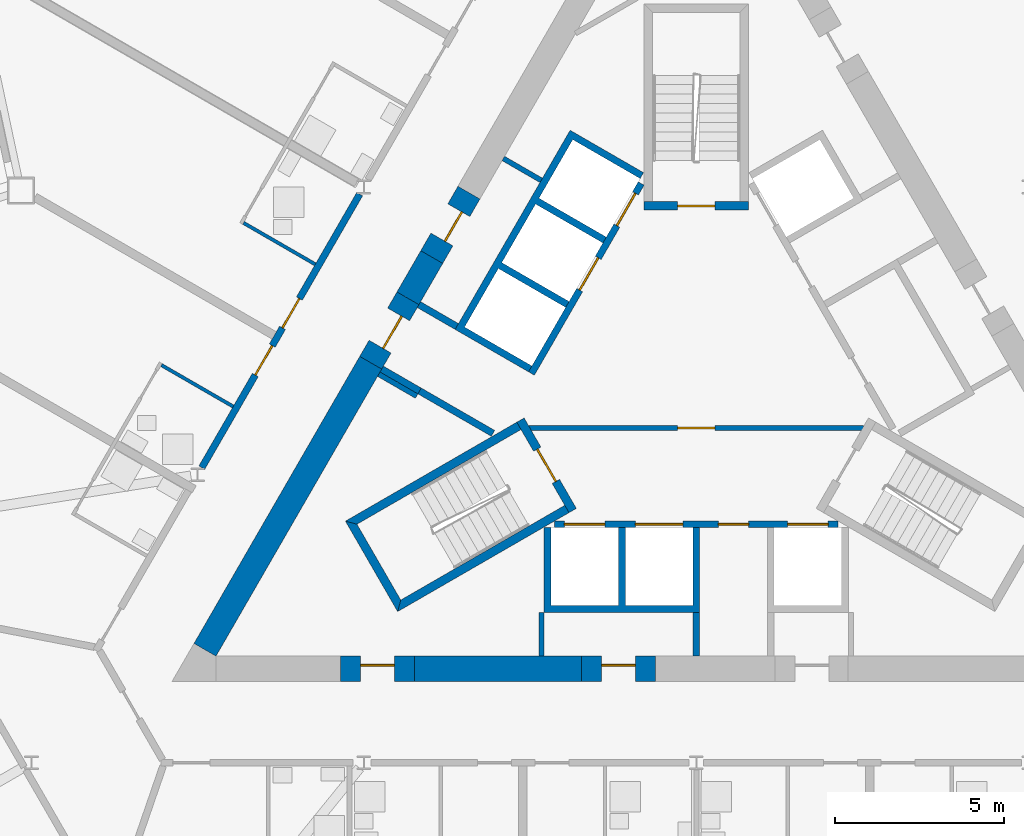
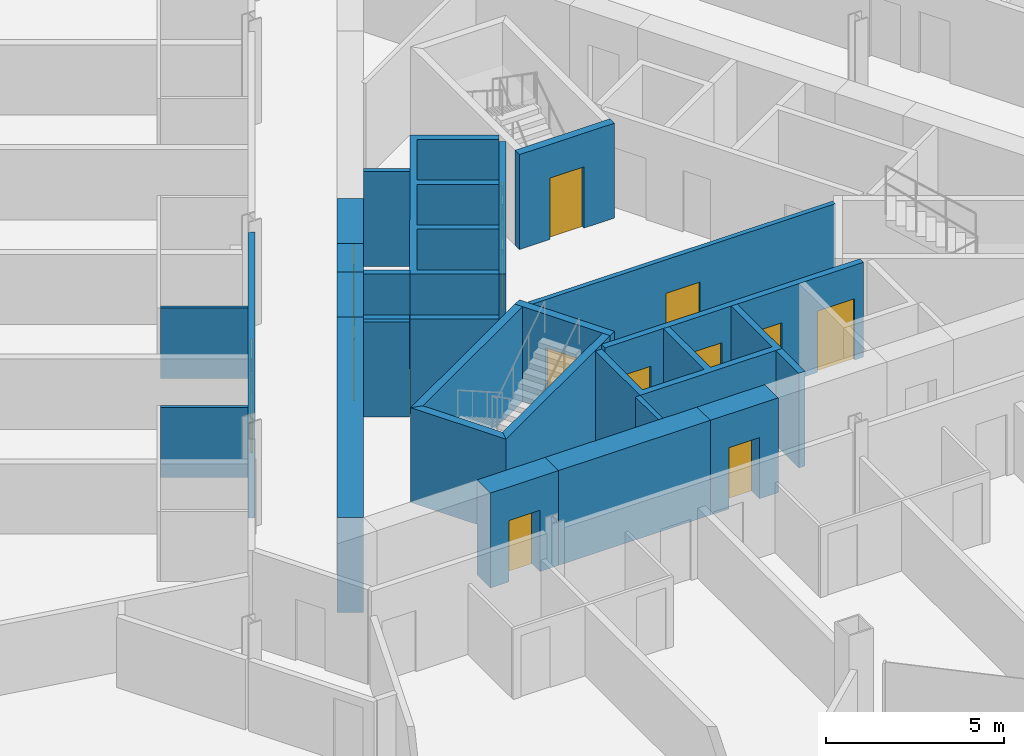
# One storey, part 11 of 23: 27 walls, 15 doors, 15 openings.
"""IFC4 building model written with IfcOpenShell, lengths in metres."""

from ifc_helpers import new_model, si_unit, direction, frame, frame_2d, origin, place, context, subcontext, project, spatial, polyline, rectangle, outline, extrude, material, layer, layer_set, type_object, element, fill, save


model = new_model("IFC4")

# Units and contexts
model_context = context("Model", 3, precision=1e-05, world=origin(), true_north=direction((0.0, 1.0)))
body_context = subcontext(model_context, "Body", "Model", "MODEL_VIEW")
ifc_project = project(units=[si_unit("LENGTHUNIT", "METRE"), si_unit("AREAUNIT", "SQUARE_METRE"), si_unit("VOLUMEUNIT", "CUBIC_METRE"), si_unit("PLANEANGLEUNIT", "RADIAN"), si_unit("MASSUNIT", "GRAM", prefix="KILO")], contexts=[model_context])

# Site, building, storey
site_placement = place(None, origin())
site = spatial("IfcSite", under=ifc_project, at=site_placement, CompositionType="ELEMENT")
building_placement = place(site_placement, origin())
building = spatial("IfcBuilding", under=site, at=building_placement, Name="Cormorant Prow Tower", CompositionType="ELEMENT")
storey_placement = place(building_placement, frame((0.0, 0.0, 183.60009765625)))
storey = spatial("IfcBuildingStorey", under=building, at=storey_placement, Name="L39", CompositionType="ELEMENT", Elevation=183.60009765625)

# Wall, opening, door
ifc_material_1 = material(Name="Gypsum board partition")
ifc_layer_1 = layer(ifc_material_1, 0.14990234375)
ifc_layer_set_1 = layer_set([ifc_layer_1], Name="Gypsum board partition")
wall_type_1 = type_object("IfcWallType", Name="Core partition 150", PredefinedType="PARTITIONING", material=ifc_layer_set_1)
wall_1_placement = place(storey_placement, frame((-4.941162109375, -1.449951171875, 0.0), z_axis=(0.0, 0.0, 1.0), x_axis=(1.0, 0.0, 0.0)))
wall_1 = element("IfcWall", 1, at=wall_1_placement, inside=storey, type_object=wall_type_1, Name="Firefighting lobby partition", PredefinedType="PARTITIONING", context=body_context, shape_type="SweptSolid", body=[
    extrude(rectangle(XDim=9.88232421875, YDim=0.14990234375, at=frame_2d((4.941162109375, 0.0))), origin(), (0.0, 0.0, 1.0), 3.25),
])
opening_1_placement = place(wall_1_placement, frame((4.39111328125, 0.0, 0.0)))
opening_1 = element("IfcOpeningElement", 2, at=opening_1_placement, cuts=wall_1, Name="Opening L39-C10", PredefinedType="OPENING", context=body_context, shape_type="SweptSolid", body=[
    extrude(rectangle(XDim=1.10009765625, YDim=2.10009765625, at=frame_2d((0.550048828125, 1.050048828125))), frame((0.0, 0.0849609375, 0.0), z_axis=(0.0, -1.0, 0.0), x_axis=(1.0, 0.0, 0.0)), (0.0, 0.0, 1.0), 0.169921875),
])
ifc_material_2 = material(Name="Painted steel", Category="steel")
door_type_1 = type_object("IfcDoorType", Name="Firefighting lobby door 1100x2100", OperationType="NOTDEFINED", PredefinedType="DOOR", material=ifc_material_2)
door_1_placement = place(opening_1_placement, origin())
door_1 = element("IfcDoor", 3, at=door_1_placement, inside=storey, type_object=door_type_1, Name="Firefighting lobby door", OperationType="SINGLE_SWING_LEFT", OverallHeight=2.10009765625, OverallWidth=1.10009765625, PredefinedType="DOOR", context=body_context, shape_type="SweptSolid", body=[
    extrude(rectangle(XDim=1.10009765625, YDim=2.10009765625, at=frame_2d((0.550048828125, 1.050048828125))), frame((0.0, 0.02490234375, 0.0), z_axis=(0.0, -1.0, 0.0), x_axis=(1.0, 0.0, 0.0)), (0.0, 0.0, 1.0), 0.050048828125),
])
fill(opening_1, door_1)

# Walls
for number, where, z_axis, x_axis, name in (
    (4, (-4.574951171875, -6.906005859375, 0.0), (0.0, 0.0, 1.0), (0.0, -1.0, 0.0), "Service room partition"),
    (5, (-8.268310546875, -0.509033203125, 0.0), (0.0, 0.0, 1.0), (-0.866003189247, 0.500038474733, 0.0), "Service room partition"),
    (6, (-5.705322265625, 6.515869140625, 0.0), (0.0, 0.0, 1.0), (0.866003189247, -0.500038474733, 0.0), "Service room partition"),
):
    element("IfcWall", number, at=place(storey_placement, frame(where, z_axis=z_axis, x_axis=x_axis)), inside=storey, type_object=wall_type_1, Name=name, PredefinedType="PARTITIONING", context=body_context, shape_type="SweptSolid", body=[
        extrude(rectangle(XDim=1.29296875, YDim=0.14990234375, at=frame_2d((0.646484375, 0.0))), origin(), (0.0, 0.0, 1.0), 3.25),
    ])
ifc_material_3 = material(Name="Concrete 8000 psi", Category="concrete")
ifc_layer_2 = layer(ifc_material_3, 0.75)
ifc_layer_set_2 = layer_set([ifc_layer_2], Name="Concrete 8000 psi")
wall_type_2 = type_object("IfcWallType", Name="Core shear wall 750", PredefinedType="SHEAR", material=ifc_layer_set_2)
wall_2_placement = place(storey_placement, frame((-8.325439453125, -8.573974609375, 0.0), z_axis=(0.0, 0.0, 1.0), x_axis=(1.0, 0.0, 0.0)))
element("IfcWall", 7, at=wall_2_placement, inside=storey, type_object=wall_type_2, Name="Core wall", PredefinedType="SHEAR", context=body_context, shape_type="SweptSolid", body=[
    extrude(rectangle(XDim=4.925537109375, YDim=0.75, at=frame_2d((2.462890625, 0.0))), origin(), (0.0, 0.0, 1.0), 3.25),
])
wall_3_placement = place(storey_placement, frame((-9.625244140625, 0.4765625, 0.0), z_axis=(0.0, 0.0, 1.0), x_axis=(-0.499986234705, -0.866033351035, 0.0)))
element("IfcWall", 8, at=wall_3_placement, inside=storey, type_object=wall_type_2, Name="Core wall", PredefinedType="SHEAR", context=body_context, shape_type="SweptSolid", body=[
    extrude(rectangle(XDim=9.801025390625, YDim=0.75, at=frame_2d((4.900390625, 0.0))), origin(), (0.0, 0.0, 1.0), 3.25),
])
wall_4_placement = place(storey_placement, frame((-7.8212890625, 3.600830078125, 0.0), z_axis=(0.0, 0.0, 1.0), x_axis=(-0.49996263964, -0.866046972724, 0.0)))
element("IfcWall", 9, at=wall_4_placement, inside=storey, type_object=wall_type_2, Name="Core wall", PredefinedType="SHEAR", context=body_context, shape_type="SweptSolid", body=[
    extrude(rectangle(XDim=1.40771484375, YDim=0.75, at=frame_2d((0.703857421875, 0.0))), origin(), (0.0, 0.0, 1.0), 3.25),
])

# Wall, opening, door
wall_5_placement = place(storey_placement, frame((-3.39990234375, -8.573974609375, 0.0), z_axis=(0.0, 0.0, 1.0), x_axis=(1.0, 0.0, 0.0)))
wall_5 = element("IfcWall", 10, at=wall_5_placement, inside=storey, type_object=wall_type_2, Name="Core wall door panel", PredefinedType="SHEAR", context=body_context, shape_type="SweptSolid", body=[
    extrude(rectangle(XDim=2.199951171875, YDim=0.75, at=frame_2d((1.10009765625, 0.0))), origin(), (0.0, 0.0, 1.0), 3.25),
])
opening_2_placement = place(wall_5_placement, frame((0.60009765625, 0.0, 0.0)))
opening_2 = element("IfcOpeningElement", 11, at=opening_2_placement, cuts=wall_5, Name="Opening L39-C14", PredefinedType="OPENING", context=body_context, shape_type="SweptSolid", body=[
    extrude(rectangle(XDim=1.0, YDim=2.10009765625, at=frame_2d((0.5, 1.050048828125))), frame((0.0, 0.385009765625, 0.0), z_axis=(0.0, -1.0, 0.0), x_axis=(1.0, 0.0, 0.0)), (0.0, 0.0, 1.0), 0.77001953125),
])
ifc_material_4 = material(Name="Painted steel", Category="steel")
door_type_2 = type_object("IfcDoorType", Name="Service door 1000x2100", OperationType="NOTDEFINED", PredefinedType="DOOR", material=ifc_material_4)
door_2_placement = place(opening_2_placement, origin())
door_2 = element("IfcDoor", 12, at=door_2_placement, inside=storey, type_object=door_type_2, Name="Core door, Housekeeping store", OperationType="SINGLE_SWING_RIGHT", OverallHeight=2.10009765625, OverallWidth=1.0, PredefinedType="DOOR", context=body_context, shape_type="SweptSolid", body=[
    extrude(rectangle(XDim=1.0, YDim=2.10009765625, at=frame_2d((0.5, 1.050048828125))), frame((0.0, 0.1298828125, 0.0), z_axis=(0.0, -1.0, 0.0), x_axis=(1.0, 0.0, 0.0)), (0.0, 0.0, 1.0), 0.050048828125),
])
fill(opening_2, door_2)

wall_6_placement = place(storey_placement, frame((-10.525390625, -8.573974609375, 0.0), z_axis=(0.0, 0.0, 1.0), x_axis=(1.0, 0.0, 0.0)))
wall_6 = element("IfcWall", 13, at=wall_6_placement, inside=storey, type_object=wall_type_2, Name="Core wall door panel", PredefinedType="SHEAR", context=body_context, shape_type="SweptSolid", body=[
    extrude(rectangle(XDim=2.199951171875, YDim=0.75, at=frame_2d((1.10009765625, 0.0))), origin(), (0.0, 0.0, 1.0), 3.25),
])
opening_3_placement = place(wall_6_placement, frame((0.60009765625, 0.0, 0.0)))
opening_3 = element("IfcOpeningElement", 14, at=opening_3_placement, cuts=wall_6, Name="Opening L39-C16", PredefinedType="OPENING", context=body_context, shape_type="SweptSolid", body=[
    extrude(rectangle(XDim=1.0, YDim=2.10009765625, at=frame_2d((0.5, 1.050048828125))), frame((0.0, 0.385009765625, 0.0), z_axis=(0.0, -1.0, 0.0), x_axis=(1.0, 0.0, 0.0)), (0.0, 0.0, 1.0), 0.77001953125),
])
door_3_placement = place(opening_3_placement, origin())
door_3 = element("IfcDoor", 15, at=door_3_placement, inside=storey, type_object=door_type_2, Name="Core door, Linen store", OperationType="SINGLE_SWING_RIGHT", OverallHeight=2.10009765625, OverallWidth=1.0, PredefinedType="DOOR", context=body_context, shape_type="SweptSolid", body=[
    extrude(rectangle(XDim=1.0, YDim=2.10009765625, at=frame_2d((0.5, 1.050048828125))), frame((0.0, 0.1298828125, 0.0), z_axis=(0.0, -1.0, 0.0), x_axis=(1.0, 0.0, 0.0)), (0.0, 0.0, 1.0), 0.050048828125),
])
fill(opening_3, door_3)

wall_7_placement = place(storey_placement, frame((-6.721435546875, 5.506103515625, 0.0), z_axis=(0.0, 0.0, 1.0), x_axis=(-0.499946605688, -0.86605622881, 0.0)))
wall_7 = element("IfcWall", 16, at=wall_7_placement, inside=storey, type_object=wall_type_2, Name="Core wall door panel", PredefinedType="SHEAR", context=body_context, shape_type="SweptSolid", body=[
    extrude(rectangle(XDim=2.199951171875, YDim=0.75, at=frame_2d((1.10009765625, 0.0))), origin(), (0.0, 0.0, 1.0), 3.25),
])
opening_4_placement = place(wall_7_placement, frame((0.60009765625, 0.0, 0.0)))
opening_4 = element("IfcOpeningElement", 17, at=opening_4_placement, cuts=wall_7, Name="Opening L39-C19", PredefinedType="OPENING", context=body_context, shape_type="SweptSolid", body=[
    extrude(rectangle(XDim=1.0, YDim=2.10009765625, at=frame_2d((0.5, 1.050048828125))), frame((0.0, 0.385009765625, 0.0), z_axis=(0.0, -1.0, 0.0), x_axis=(1.0, 0.0, 0.0)), (0.0, 0.0, 1.0), 0.77001953125),
])
door_4_placement = place(opening_4_placement, origin())
door_4 = element("IfcDoor", 18, at=door_4_placement, inside=storey, type_object=door_type_2, Name="Core door, Electrical room", OperationType="SINGLE_SWING_LEFT", OverallHeight=2.10009765625, OverallWidth=1.0, PredefinedType="DOOR", context=body_context, shape_type="SweptSolid", body=[
    extrude(rectangle(XDim=1.0, YDim=2.10009765625, at=frame_2d((0.5, 1.050048828125))), frame((0.0, 0.1298828125, 0.0), z_axis=(0.0, -1.0, 0.0), x_axis=(1.0, 0.0, 0.0)), (0.0, 0.0, 1.0), 0.050048828125),
])
fill(opening_4, door_4)

wall_8_placement = place(storey_placement, frame((-8.525146484375, 2.381591796875, 0.0), z_axis=(0.0, 0.0, 1.0), x_axis=(-0.500077893725, -0.86598042715, 0.0)))
wall_8 = element("IfcWall", 19, at=wall_8_placement, inside=storey, type_object=wall_type_2, Name="Core wall door panel", PredefinedType="SHEAR", context=body_context, shape_type="SweptSolid", body=[
    extrude(rectangle(XDim=2.199951171875, YDim=0.75, at=frame_2d((1.10009765625, 0.0))), origin(), (0.0, 0.0, 1.0), 3.25),
])
opening_5_placement = place(wall_8_placement, frame((0.550048828125, 0.0, 0.0)))
opening_5 = element("IfcOpeningElement", 20, at=opening_5_placement, cuts=wall_8, Name="Opening L39-C22", PredefinedType="OPENING", context=body_context, shape_type="SweptSolid", body=[
    extrude(rectangle(XDim=1.10009765625, YDim=2.10009765625, at=frame_2d((0.550048828125, 1.050048828125))), frame((0.0, 0.385009765625, 0.0), z_axis=(0.0, -1.0, 0.0), x_axis=(1.0, 0.0, 0.0)), (0.0, 0.0, 1.0), 0.77001953125),
])
ifc_material_5 = material(Name="Painted steel", Category="steel")
door_type_3 = type_object("IfcDoorType", Name="Core door 1100x2100", OperationType="NOTDEFINED", PredefinedType="DOOR", material=ifc_material_5)
door_5_placement = place(opening_5_placement, origin())
door_5 = element("IfcDoor", 21, at=door_5_placement, inside=storey, type_object=door_type_3, Name="Core door, lift lobby", OperationType="SINGLE_SWING_RIGHT", OverallHeight=2.10009765625, OverallWidth=1.10009765625, PredefinedType="DOOR", context=body_context, shape_type="SweptSolid", body=[
    extrude(rectangle(XDim=1.10009765625, YDim=2.10009765625, at=frame_2d((0.550048828125, 1.050048828125))), frame((0.0, 0.1298828125, 0.0), z_axis=(0.0, -1.0, 0.0), x_axis=(1.0, 0.0, 0.0)), (0.0, 0.0, 1.0), 0.050048828125),
])
fill(opening_5, door_5)

# Wall, openings, doors
ifc_material_6 = material(Name="Gypsum board corridor wall")
ifc_layer_3 = layer(ifc_material_6, 0.199951171875)
ifc_layer_set_3 = layer_set([ifc_layer_3], Name="Gypsum board corridor wall")
wall_type_3 = type_object("IfcWallType", Name="Corridor wall 200", PredefinedType="PARTITIONING", material=ifc_layer_set_3)
wall_9_placement = place(storey_placement, frame((-14.619384765625, -2.62353515625, 0.0), z_axis=(0.0, 0.0, 1.0), x_axis=(0.50000393355, 0.866023132736, 0.0)))
wall_9 = element("IfcWall", 22, at=wall_9_placement, inside=storey, type_object=wall_type_3, Name="Corridor wall", PredefinedType="PARTITIONING", context=body_context, shape_type="SweptSolid", body=[
    extrude(rectangle(XDim=9.3349609375, YDim=0.199951171875, at=frame_2d((4.66748046875, 0.0))), origin(), (0.0, 0.0, 1.0), 3.25),
])
opening_6_placement = place(wall_9_placement, frame((4.770263671875, 0.0, 0.0)))
opening_6 = element("IfcOpeningElement", 23, at=opening_6_placement, cuts=wall_9, Name="Opening L39-F30", PredefinedType="OPENING", context=body_context, shape_type="SweptSolid", body=[
    extrude(rectangle(XDim=1.0, YDim=2.10009765625, at=frame_2d((0.5, 1.050048828125))), frame((0.0, 0.10986328125, 0.0), z_axis=(0.0, -1.0, 0.0), x_axis=(1.0, 0.0, 0.0)), (0.0, 0.0, 1.0), 0.219970703125),
])
opening_7_placement = place(wall_9_placement, frame((3.1630859375, 0.0, 0.0)))
opening_7 = element("IfcOpeningElement", 24, at=opening_7_placement, cuts=wall_9, Name="Opening L39-F32", PredefinedType="OPENING", context=body_context, shape_type="SweptSolid", body=[
    extrude(rectangle(XDim=1.0, YDim=2.10009765625, at=frame_2d((0.5, 1.050048828125))), frame((0.0, 0.10986328125, 0.0), z_axis=(0.0, -1.0, 0.0), x_axis=(1.0, 0.0, 0.0)), (0.0, 0.0, 1.0), 0.219970703125),
])
ifc_material_7 = material(Name="Timber door leaf", Category="wood")
door_type_4 = type_object("IfcDoorType", Name="Flat or room entrance door 1000x2100", OperationType="NOTDEFINED", PredefinedType="DOOR", material=ifc_material_7)
door_6_placement = place(opening_6_placement, origin())
door_6 = element("IfcDoor", 25, at=door_6_placement, inside=storey, type_object=door_type_4, Name="Guest room door", OperationType="SINGLE_SWING_LEFT", OverallHeight=2.10009765625, OverallWidth=1.0, PredefinedType="DOOR", context=body_context, shape_type="SweptSolid", body=[
    extrude(rectangle(XDim=1.0, YDim=2.10009765625, at=frame_2d((0.5, 1.050048828125))), frame((0.0, 0.02490234375, 0.0), z_axis=(0.0, -1.0, 0.0), x_axis=(1.0, 0.0, 0.0)), (0.0, 0.0, 1.0), 0.050048828125),
])
fill(opening_6, door_6)
door_7_placement = place(opening_7_placement, origin())
door_7 = element("IfcDoor", 26, at=door_7_placement, inside=storey, type_object=door_type_4, Name="Guest room door", OperationType="SINGLE_SWING_RIGHT", OverallHeight=2.10009765625, OverallWidth=1.0, PredefinedType="DOOR", context=body_context, shape_type="SweptSolid", body=[
    extrude(rectangle(XDim=1.0, YDim=2.10009765625, at=frame_2d((0.5, 1.050048828125))), frame((0.0, 0.02490234375, 0.0), z_axis=(0.0, -1.0, 0.0), x_axis=(1.0, 0.0, 0.0)), (0.0, 0.0, 1.0), 0.050048828125),
])
fill(opening_7, door_7)

# Walls
ifc_material_8 = material(Name="Gypsum board partition")
ifc_layer_4 = layer(ifc_material_8, 0.10009765625)
ifc_layer_set_4 = layer_set([ifc_layer_4], Name="Gypsum board partition")
wall_type_4 = type_object("IfcWallType", Name="Internal partition 100", PredefinedType="PARTITIONING", material=ifc_layer_set_4)
wall_10_placement = place(storey_placement, frame((-13.38671875, 4.611083984375, 0.0), z_axis=(0.0, 0.0, 1.0), x_axis=(0.866032905446, -0.499987006516, 0.0)))
element("IfcWall", 27, at=wall_10_placement, inside=storey, type_object=wall_type_4, Name="Internal partition", PredefinedType="PARTITIONING", context=body_context, shape_type="SweptSolid", body=[
    extrude(rectangle(XDim=2.44970703125, YDim=0.10009765625, at=frame_2d((1.224853515625, 0.0))), origin(), (0.0, 0.0, 1.0), 2.404052734375),
])
wall_11_placement = place(storey_placement, frame((-15.81396484375, 0.4072265625, 0.0), z_axis=(0.0, 0.0, 1.0), x_axis=(0.866057815567, -0.499943856944, 0.0)))
element("IfcWall", 28, at=wall_11_placement, inside=storey, type_object=wall_type_4, Name="Internal partition", PredefinedType="PARTITIONING", context=body_context, shape_type="SweptSolid", body=[
    extrude(rectangle(XDim=2.449951171875, YDim=0.10009765625, at=frame_2d((1.22509765625, 0.0))), origin(), (0.0, 0.0, 1.0), 2.404052734375),
])

# Wall, openings, doors
ifc_material_9 = material(Name="Concrete 5000 psi", Category="concrete")
ifc_layer_5 = layer(ifc_material_9, 0.199951171875)
ifc_layer_set_5 = layer_set([ifc_layer_5], Name="Concrete 5000 psi")
wall_type_5 = type_object("IfcWallType", Name="Lift lobby wall 200", PredefinedType="SOLIDWALL", material=ifc_layer_set_5)
wall_12_placement = place(storey_placement, frame((-4.1865234375, -4.300048828125, 0.0), z_axis=(0.0, 0.0, 1.0), x_axis=(1.0, 0.0, 0.0)))
wall_12 = element("IfcWall", 29, at=wall_12_placement, inside=storey, type_object=wall_type_5, Name="Lift lobby wall, S block", PredefinedType="SOLIDWALL", context=body_context, shape_type="SweptSolid", body=[
    extrude(rectangle(XDim=8.373046875, YDim=0.199951171875, at=frame_2d((4.1865234375, 0.0))), origin(), (0.0, 0.0, 1.0), 3.25),
])
opening_8_placement = place(wall_12_placement, frame((0.28662109375, 0.0, 0.0)))
opening_8 = element("IfcOpeningElement", 30, at=opening_8_placement, cuts=wall_12, Name="Opening L39-C01", PredefinedType="OPENING", context=body_context, shape_type="SweptSolid", body=[
    extrude(rectangle(XDim=1.199951171875, YDim=2.10009765625, at=frame_2d((0.60009765625, 1.050048828125))), frame((0.0, 0.10986328125, 0.0), z_axis=(0.0, -1.0, 0.0), x_axis=(1.0, 0.0, 0.0)), (0.0, 0.0, 1.0), 0.219970703125),
])
opening_9_placement = place(wall_12_placement, frame((2.38671875, 0.0, 0.0)))
opening_9 = element("IfcOpeningElement", 31, at=opening_9_placement, cuts=wall_12, Name="Opening L39-C02", PredefinedType="OPENING", context=body_context, shape_type="SweptSolid", body=[
    extrude(rectangle(XDim=1.39990234375, YDim=2.10009765625, at=frame_2d((0.699951171875, 1.050048828125))), frame((0.0, 0.10986328125, 0.0), z_axis=(0.0, -1.0, 0.0), x_axis=(1.0, 0.0, 0.0)), (0.0, 0.0, 1.0), 0.219970703125),
])
opening_10_placement = place(wall_12_placement, frame((4.836669921875, 0.0, 0.0)))
opening_10 = element("IfcOpeningElement", 32, at=opening_10_placement, cuts=wall_12, Name="Opening L39-C03", PredefinedType="OPENING", context=body_context, shape_type="SweptSolid", body=[
    extrude(rectangle(XDim=0.89990234375, YDim=2.10009765625, at=frame_2d((0.449951171875, 1.050048828125))), frame((0.0, 0.10986328125, 0.0), z_axis=(0.0, -1.0, 0.0), x_axis=(1.0, 0.0, 0.0)), (0.0, 0.0, 1.0), 0.219970703125),
])
opening_11_placement = place(wall_12_placement, frame((6.88671875, 0.0, 0.0)))
opening_11 = element("IfcOpeningElement", 33, at=opening_11_placement, cuts=wall_12, Name="Opening L39-C04", PredefinedType="OPENING", context=body_context, shape_type="SweptSolid", body=[
    extrude(rectangle(XDim=1.199951171875, YDim=2.10009765625, at=frame_2d((0.60009765625, 1.050048828125))), frame((0.0, 0.10986328125, 0.0), z_axis=(0.0, -1.0, 0.0), x_axis=(1.0, 0.0, 0.0)), (0.0, 0.0, 1.0), 0.219970703125),
])
ifc_material_10 = material(Name="Painted steel", Category="steel")
door_type_5 = type_object("IfcDoorType", Name="Firefighting lift landing door 1200x2100", OperationType="SLIDING_TO_LEFT", PredefinedType="DOOR", material=ifc_material_10)
door_8_placement = place(opening_8_placement, origin())
door_8 = element("IfcDoor", 34, at=door_8_placement, inside=storey, type_object=door_type_5, Name="Landing door FL1", OperationType="SLIDING_TO_LEFT", OverallHeight=2.10009765625, OverallWidth=1.199951171875, PredefinedType="DOOR", context=body_context, shape_type="SweptSolid", body=[
    extrude(rectangle(XDim=1.199951171875, YDim=2.10009765625, at=frame_2d((0.60009765625, 1.050048828125))), frame((0.0, 0.02490234375, 0.0), z_axis=(0.0, -1.0, 0.0), x_axis=(1.0, 0.0, 0.0)), (0.0, 0.0, 1.0), 0.050048828125),
])
fill(opening_8, door_8)
door_9_placement = place(opening_11_placement, origin())
door_9 = element("IfcDoor", 35, at=door_9_placement, inside=storey, type_object=door_type_5, Name="Landing door FL2", OperationType="SLIDING_TO_LEFT", OverallHeight=2.10009765625, OverallWidth=1.199951171875, PredefinedType="DOOR", context=body_context, shape_type="SweptSolid", body=[
    extrude(rectangle(XDim=1.199951171875, YDim=2.10009765625, at=frame_2d((0.60009765625, 1.050048828125))), frame((0.0, 0.02490234375, 0.0), z_axis=(0.0, -1.0, 0.0), x_axis=(1.0, 0.0, 0.0)), (0.0, 0.0, 1.0), 0.050048828125),
])
fill(opening_11, door_9)
ifc_material_11 = material(Name="Painted steel", Category="steel")
door_type_6 = type_object("IfcDoorType", Name="Service door 900x2100", OperationType="NOTDEFINED", PredefinedType="DOOR", material=ifc_material_11)
door_10_placement = place(opening_10_placement, origin())
door_10 = element("IfcDoor", 36, at=door_10_placement, inside=storey, type_object=door_type_6, Name="Service door, Linen store", OperationType="SINGLE_SWING_RIGHT", OverallHeight=2.10009765625, OverallWidth=0.89990234375, PredefinedType="DOOR", context=body_context, shape_type="SweptSolid", body=[
    extrude(rectangle(XDim=0.89990234375, YDim=2.10009765625, at=frame_2d((0.449951171875, 1.050048828125))), frame((0.0, 0.02490234375, 0.0), z_axis=(0.0, -1.0, 0.0), x_axis=(1.0, 0.0, 0.0)), (0.0, 0.0, 1.0), 0.050048828125),
])
fill(opening_10, door_10)
ifc_material_12 = material(Name="Painted steel", Category="steel")
door_type_7 = type_object("IfcDoorType", Name="Service lift landing door 1400x2100", OperationType="SLIDING_TO_LEFT", PredefinedType="DOOR", material=ifc_material_12)
door_11_placement = place(opening_9_placement, origin())
door_11 = element("IfcDoor", 37, at=door_11_placement, inside=storey, type_object=door_type_7, Name="Landing door SL1", OperationType="SLIDING_TO_LEFT", OverallHeight=2.10009765625, OverallWidth=1.39990234375, PredefinedType="DOOR", context=body_context, shape_type="SweptSolid", body=[
    extrude(rectangle(XDim=1.39990234375, YDim=2.10009765625, at=frame_2d((0.699951171875, 1.050048828125))), frame((0.0, 0.02490234375, 0.0), z_axis=(0.0, -1.0, 0.0), x_axis=(1.0, 0.0, 0.0)), (0.0, 0.0, 1.0), 0.050048828125),
])
fill(opening_9, door_11)

wall_13_placement = place(storey_placement, frame((-1.630615234375, 5.775634765625, 0.0), z_axis=(0.0, 0.0, 1.0), x_axis=(-0.499992876559, -0.866029516466, 0.0)))
wall_13 = element("IfcWall", 38, at=wall_13_placement, inside=storey, type_object=wall_type_5, Name="Lift lobby wall, WNW block", PredefinedType="SOLIDWALL", context=body_context, shape_type="SweptSolid", body=[
    extrude(rectangle(XDim=6.486328125, YDim=0.199951171875, at=frame_2d((3.2431640625, 0.0))), origin(), (0.0, 0.0, 1.0), 3.25),
])
opening_12_placement = place(wall_13_placement, frame((0.336669921875, 0.0, 0.0)))
opening_12 = element("IfcOpeningElement", 39, at=opening_12_placement, cuts=wall_13, Name="Opening L39-C08", PredefinedType="OPENING", context=body_context, shape_type="SweptSolid", body=[
    extrude(rectangle(XDim=1.10009765625, YDim=2.10009765625, at=frame_2d((0.550048828125, 1.050048828125))), frame((0.0, 0.10986328125, 0.0), z_axis=(0.0, -1.0, 0.0), x_axis=(1.0, 0.0, 0.0)), (0.0, 0.0, 1.0), 0.219970703125),
])
opening_13_placement = place(wall_13_placement, frame((2.53662109375, 0.0, 0.0)))
opening_13 = element("IfcOpeningElement", 40, at=opening_13_placement, cuts=wall_13, Name="Opening L39-C09", PredefinedType="OPENING", context=body_context, shape_type="SweptSolid", body=[
    extrude(rectangle(XDim=1.10009765625, YDim=2.10009765625, at=frame_2d((0.550048828125, 1.050048828125))), frame((0.0, 0.10986328125, 0.0), z_axis=(0.0, -1.0, 0.0), x_axis=(1.0, 0.0, 0.0)), (0.0, 0.0, 1.0), 0.219970703125),
])
ifc_material_13 = material(Name="Painted steel", Category="steel")
door_type_8 = type_object("IfcDoorType", Name="Lift landing door 1100x2100", OperationType="SLIDING_TO_LEFT", PredefinedType="DOOR", material=ifc_material_13)
door_12_placement = place(opening_12_placement, origin())
door_12 = element("IfcDoor", 41, at=door_12_placement, inside=storey, type_object=door_type_8, Name="Landing door MR2", OperationType="SLIDING_TO_LEFT", OverallHeight=2.10009765625, OverallWidth=1.10009765625, PredefinedType="DOOR", context=body_context, shape_type="SweptSolid", body=[
    extrude(rectangle(XDim=1.10009765625, YDim=2.10009765625, at=frame_2d((0.550048828125, 1.050048828125))), frame((0.0, 0.02490234375, 0.0), z_axis=(0.0, -1.0, 0.0), x_axis=(1.0, 0.0, 0.0)), (0.0, 0.0, 1.0), 0.050048828125),
])
fill(opening_12, door_12)
door_13_placement = place(opening_13_placement, origin())
door_13 = element("IfcDoor", 42, at=door_13_placement, inside=storey, type_object=door_type_8, Name="Landing door MR3", OperationType="SLIDING_TO_LEFT", OverallHeight=2.10009765625, OverallWidth=1.10009765625, PredefinedType="DOOR", context=body_context, shape_type="SweptSolid", body=[
    extrude(rectangle(XDim=1.10009765625, YDim=2.10009765625, at=frame_2d((0.550048828125, 1.050048828125))), frame((0.0, 0.02490234375, 0.0), z_axis=(0.0, -1.0, 0.0), x_axis=(1.0, 0.0, 0.0)), (0.0, 0.0, 1.0), 0.050048828125),
])
fill(opening_13, door_13)

# Walls
ifc_material_14 = material(Name="Concrete 8000 psi", Category="concrete")
ifc_layer_6 = layer(ifc_material_14, 0.199951171875)
ifc_layer_set_6 = layer_set([ifc_layer_6], Name="Concrete 8000 psi")
wall_type_6 = type_object("IfcWallType", Name="Lift shaft wall 200", PredefinedType="SHEAR", material=ifc_layer_set_6)
wall_14_placement = place(storey_placement, origin())
element("IfcWall", 43, at=wall_14_placement, inside=storey, type_object=wall_type_6, Name="Lift shaft walls, S block", PredefinedType="SHEAR", context=body_context, shape_type="SweptSolid", body=[
    extrude(outline(polyline([(0.10009765625, -4.39990234375), (0.10009765625, -6.906005859375), (-4.5, -6.906005859375), (-4.5, -4.39990234375), (-4.300048828125, -4.39990234375), (-4.300048828125, -6.699951171875), (-2.300048828125, -6.699951171875), (-2.300048828125, -4.39990234375), (-2.10009765625, -4.39990234375), (-2.10009765625, -6.699951171875), (-0.10009765625, -6.699951171875), (-0.10009765625, -4.39990234375), (0.10009765625, -4.39990234375)])), origin(), (0.0, 0.0, 1.0), 3.25),
])
wall_15_placement = place(storey_placement, frame((0.0, -6.906005859375, 0.0), z_axis=(0.0, 0.0, 1.0), x_axis=(0.0, -1.0, 0.0)))
element("IfcWall", 44, at=wall_15_placement, inside=storey, type_object=wall_type_6, Name="Store side wall", PredefinedType="SHEAR", context=body_context, shape_type="SweptSolid", body=[
    extrude(rectangle(XDim=1.29296875, YDim=0.199951171875, at=frame_2d((0.646484375, 0.0))), origin(), (0.0, 0.0, 1.0), 3.25),
])
wall_16_placement = place(storey_placement, origin())
element("IfcWall", 45, at=wall_16_placement, inside=storey, type_object=wall_type_6, Name="Lift shaft walls, WNW block", PredefinedType="SHEAR", context=body_context, shape_type="SweptSolid", body=[
    extrude(outline(polyline([(-6.060546875, -1.697021484375), (-8.230712890625, -0.444091796875), (-8.130859375, -0.27099609375), (-5.96044921875, -1.52392578125), (-6.060546875, -1.697021484375)])), origin(), (0.0, 0.0, 1.0), 3.25),
])
wall_17_placement = place(storey_placement, origin())
element("IfcWall", 46, at=wall_17_placement, inside=storey, type_object=wall_type_6, Name="Lift shaft walls, WNW block", PredefinedType="SHEAR", context=body_context, shape_type="SweptSolid", body=[
    extrude(outline(polyline([(-4.96044921875, 0.2080078125), (-7.130859375, 1.461181640625), (-3.730712890625, 7.35009765625), (-1.560546875, 6.09716796875), (-1.660400390625, 5.923828125), (-3.65234375, 7.073974609375), (-4.65234375, 5.341796875), (-2.660400390625, 4.19189453125), (-2.760498046875, 4.018798828125), (-4.75244140625, 5.168701171875), (-5.75244140625, 3.4365234375), (-3.760498046875, 2.28662109375), (-3.860595703125, 2.11328125), (-5.852294921875, 3.263427734375), (-6.852294921875, 1.53125), (-4.860595703125, 0.38134765625), (-4.96044921875, 0.2080078125)])), origin(), (0.0, 0.0, 1.0), 3.25),
])
for number, where, z_axis, x_axis, name in (
    (47, (-7.080810546875, 1.547607421875, 0.0), (0.0, 0.0, 1.0), (-0.866003189247, 0.500038474733, 0.0), "Lobby passage wall"),
    (48, (-8.180908203125, -0.357421875, 0.0), (0.0, 0.0, 1.0), (-0.866003189247, 0.500038474733, 0.0), "Lobby passage wall"),
):
    element("IfcWall", number, at=place(storey_placement, frame(where, z_axis=z_axis, x_axis=x_axis)), inside=storey, type_object=wall_type_6, Name=name, PredefinedType="SHEAR", context=body_context, shape_type="SweptSolid", body=[
        extrude(rectangle(XDim=1.29296875, YDim=0.199951171875, at=frame_2d((0.646484375, 0.0))), origin(), (0.0, 0.0, 1.0), 3.25),
    ])
ifc_material_15 = material(Name="Concrete 8000 psi", Category="concrete")
ifc_layer_7 = layer(ifc_material_15, 0.25)
ifc_layer_set_7 = layer_set([ifc_layer_7], Name="Concrete 8000 psi")
wall_type_7 = type_object("IfcWallType", Name="Stair wall 250", PredefinedType="SHEAR", material=ifc_layer_set_7)
wall_18_placement = place(storey_placement, origin())
element("IfcWall", 49, at=wall_18_placement, inside=storey, type_object=wall_type_7, Name="Stair ST1 enclosure wall (flank)", PredefinedType="SHEAR", context=body_context, shape_type="SweptSolid", body=[
    extrude(outline(polyline([(-5.30712890625, -1.28125), (-10.37353515625, -4.206298828125), (-10.031982421875, -4.2978515625), (-5.18212890625, -1.497802734375), (-5.30712890625, -1.28125)])), origin(), (0.0, 0.0, 1.0), 3.25),
])
wall_19_placement = place(storey_placement, origin())
element("IfcWall", 50, at=wall_19_placement, inside=storey, type_object=wall_type_7, Name="Stair ST1 enclosure wall (end)", PredefinedType="SHEAR", context=body_context, shape_type="SweptSolid", body=[
    extrude(outline(polyline([(-10.37353515625, -4.206298828125), (-8.82958984375, -6.880615234375), (-8.738037109375, -6.5390625), (-10.031982421875, -4.2978515625), (-10.37353515625, -4.206298828125)])), origin(), (0.0, 0.0, 1.0), 3.25),
])
wall_20_placement = place(storey_placement, origin())
element("IfcWall", 51, at=wall_20_placement, inside=storey, type_object=wall_type_7, Name="Stair ST1 enclosure wall (flank)", PredefinedType="SHEAR", context=body_context, shape_type="SweptSolid", body=[
    extrude(outline(polyline([(-8.738037109375, -6.5390625), (-8.82958984375, -6.880615234375), (-3.76318359375, -3.95556640625), (-3.88818359375, -3.739013671875), (-8.738037109375, -6.5390625)])), origin(), (0.0, 0.0, 1.0), 3.25),
])

# Wall, opening, door
wall_21_placement = place(storey_placement, frame((-5.198974609375, -1.21875, 0.0), z_axis=(0.0, 0.0, 1.0), x_axis=(0.499982516597, -0.866035497597, 0.0)))
wall_21 = element("IfcWall", 52, at=wall_21_placement, inside=storey, type_object=wall_type_7, Name="Stair ST1 door wall", PredefinedType="SHEAR", context=body_context, shape_type="SweptSolid", body=[
    extrude(rectangle(XDim=3.087890625, YDim=0.25, at=frame_2d((1.5439453125, 0.0))), origin(), (0.0, 0.0, 1.0), 3.25),
])
opening_14_placement = place(wall_21_placement, frame((0.993896484375, 0.0, 0.0)))
opening_14 = element("IfcOpeningElement", 53, at=opening_14_placement, cuts=wall_21, Name="Opening L39-C11", PredefinedType="OPENING", context=body_context, shape_type="SweptSolid", body=[
    extrude(rectangle(XDim=1.10009765625, YDim=2.10009765625, at=frame_2d((0.550048828125, 1.050048828125))), frame((0.0, 0.135009765625, 0.0), z_axis=(0.0, -1.0, 0.0), x_axis=(1.0, 0.0, 0.0)), (0.0, 0.0, 1.0), 0.27001953125),
])
ifc_material_16 = material(Name="Painted steel", Category="steel")
door_type_9 = type_object("IfcDoorType", Name="Stair door 1100x2100", OperationType="NOTDEFINED", PredefinedType="DOOR", material=ifc_material_16)
door_14_placement = place(opening_14_placement, origin())
door_14 = element("IfcDoor", 54, at=door_14_placement, inside=storey, type_object=door_type_9, Name="Stair ST1 door", OperationType="SINGLE_SWING_LEFT", OverallHeight=2.10009765625, OverallWidth=1.10009765625, PredefinedType="DOOR", context=body_context, shape_type="SweptSolid", body=[
    extrude(rectangle(XDim=1.10009765625, YDim=2.10009765625, at=frame_2d((0.550048828125, 1.050048828125))), frame((0.0, 0.02490234375, 0.0), z_axis=(0.0, -1.0, 0.0), x_axis=(1.0, 0.0, 0.0)), (0.0, 0.0, 1.0), 0.050048828125),
])
fill(opening_14, door_14)

wall_22_placement = place(storey_placement, frame((1.5439453125, 5.11181640625, 0.0), z_axis=(0.0, 0.0, 1.0), x_axis=(-1.0, 0.0, 0.0)))
wall_22 = element("IfcWall", 55, at=wall_22_placement, inside=storey, type_object=wall_type_7, Name="Stair ST3 door wall", PredefinedType="SHEAR", context=body_context, shape_type="SweptSolid", body=[
    extrude(rectangle(XDim=3.087890625, YDim=0.25, at=frame_2d((1.5439453125, 0.0))), origin(), (0.0, 0.0, 1.0), 3.25),
])
opening_15_placement = place(wall_22_placement, frame((0.993896484375, 0.0, 0.0)))
opening_15 = element("IfcOpeningElement", 56, at=opening_15_placement, cuts=wall_22, Name="Opening L39-C13", PredefinedType="OPENING", context=body_context, shape_type="SweptSolid", body=[
    extrude(rectangle(XDim=1.10009765625, YDim=2.10009765625, at=frame_2d((0.550048828125, 1.050048828125))), frame((0.0, 0.135009765625, 0.0), z_axis=(0.0, -1.0, 0.0), x_axis=(1.0, 0.0, 0.0)), (0.0, 0.0, 1.0), 0.27001953125),
])
door_15_placement = place(opening_15_placement, origin())
door_15 = element("IfcDoor", 57, at=door_15_placement, inside=storey, type_object=door_type_9, Name="Stair ST3 door", OperationType="SINGLE_SWING_LEFT", OverallHeight=2.10009765625, OverallWidth=1.10009765625, PredefinedType="DOOR", context=body_context, shape_type="SweptSolid", body=[
    extrude(rectangle(XDim=1.10009765625, YDim=2.10009765625, at=frame_2d((0.550048828125, 1.050048828125))), frame((0.0, 0.02490234375, 0.0), z_axis=(0.0, -1.0, 0.0), x_axis=(1.0, 0.0, 0.0)), (0.0, 0.0, 1.0), 0.050048828125),
])
fill(opening_15, door_15)

save(model, "model.ifc")
